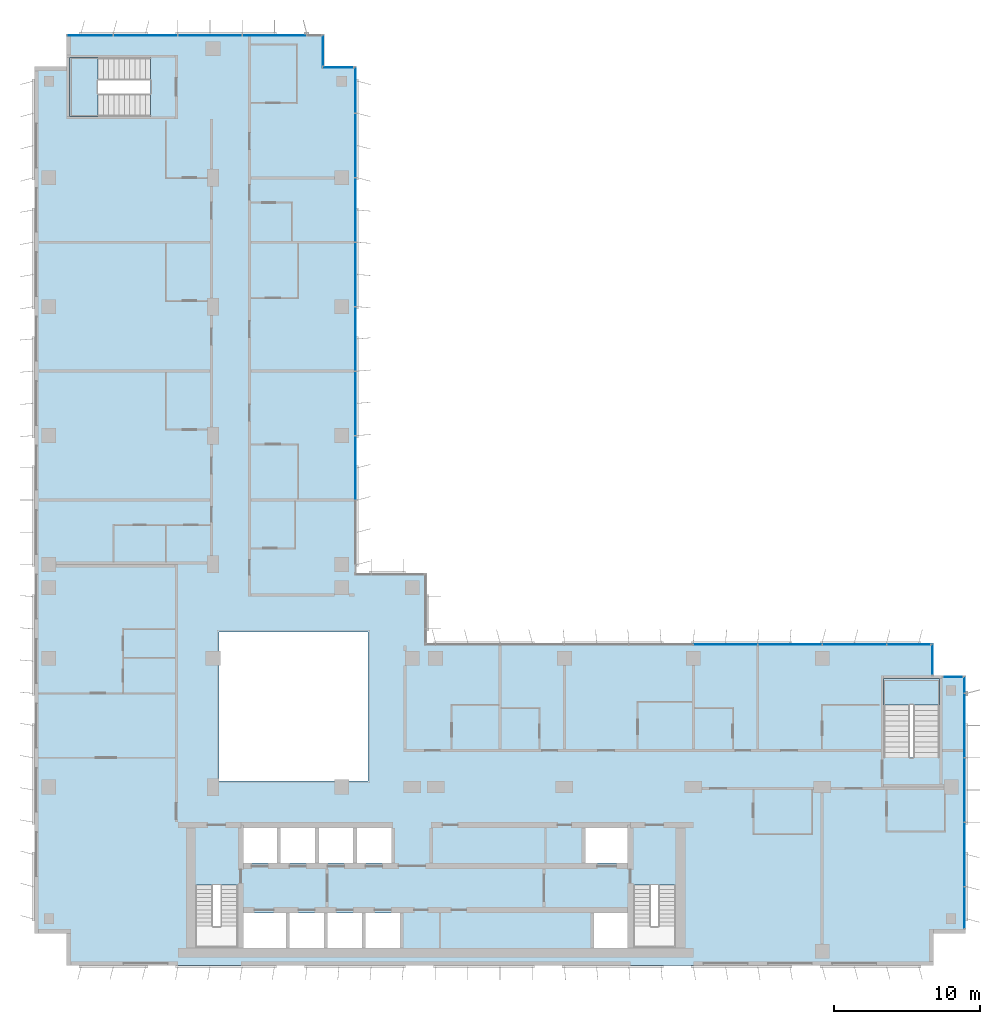
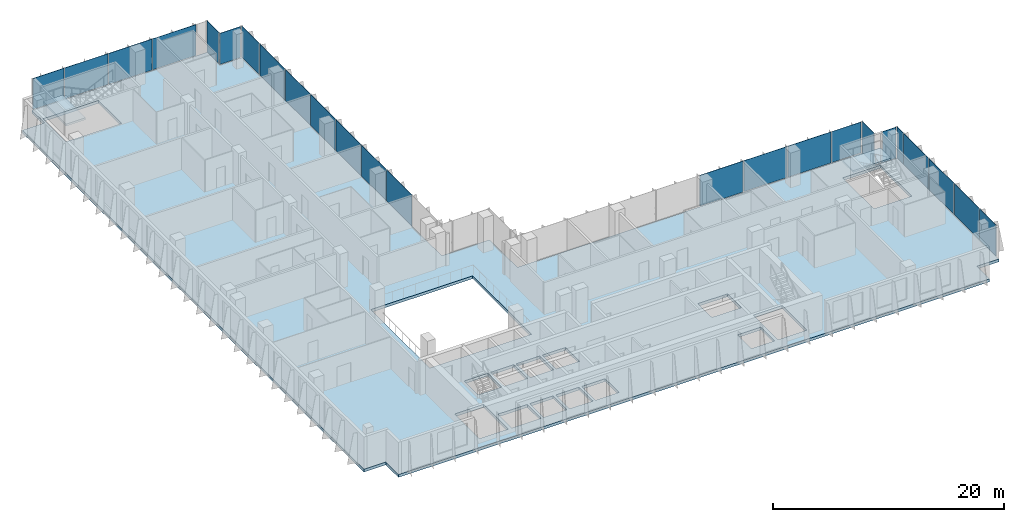
# One storey, part 11 of 20: 24 plates, 3 slabs, 10 elements without a shape of their own.
"""IFC4 building model written with IfcOpenShell, lengths in metres."""

from ifc_helpers import new_model, si_unit, direction, frame, origin, origin_2d, place, context, subcontext, project, spatial, polyline, rectangle, outline, extrude, source, transform, mapped, material, layer, layer_set, type_object, element, aggregate, save


model = new_model("IFC4")

# Units and contexts
model_context = context("Model", 3, precision=1e-05, world=origin(), true_north=direction((0.0, 1.0)))
body_context = subcontext(model_context, "Body", "Model", "MODEL_VIEW")
ifc_project = project(units=[si_unit("LENGTHUNIT", "METRE"), si_unit("AREAUNIT", "SQUARE_METRE"), si_unit("VOLUMEUNIT", "CUBIC_METRE"), si_unit("PLANEANGLEUNIT", "RADIAN"), si_unit("MASSUNIT", "GRAM", prefix="KILO")], contexts=[model_context])

# Site, building, storey
site_placement = place(None, origin())
site = spatial("IfcSite", under=ifc_project, at=site_placement, CompositionType="ELEMENT")
building_placement = place(site_placement, origin())
building = spatial("IfcBuilding", under=site, at=building_placement, Name="Kemantara Hotel Tower", CompositionType="ELEMENT")
storey_placement = place(building_placement, frame((0.0, 0.0, 186.39990234375)))
storey = spatial("IfcBuildingStorey", under=building, at=storey_placement, Name="L46", CompositionType="ELEMENT", Elevation=186.39990234375)

# Slab
ifc_material_1 = material(Name="Concrete fc 40 MPa", Category="concrete")
ifc_layer_1 = layer(ifc_material_1, 0.300048828125)
ifc_layer_set_1 = layer_set([ifc_layer_1], Name="Concrete fc 40 MPa")
slab_type_1 = type_object("IfcSlabType", Name="POST-TENSIONED FLAT PLATE 300", PredefinedType="FLOOR", material=ifc_layer_set_1)
slab_1_placement = place(storey_placement, frame((0.0, 0.0, -0.2998046875)))
element("IfcSlab", 1, at=slab_1_placement, inside=storey, type_object=slab_type_1, Name="FLOOR SLAB L46", PredefinedType="FLOOR", context=body_context, shape_type="SweptSolid", body=[
    extrude(outline(polyline([(22.0, 26.800048828125), (22.0, 61.39990234375), (19.800048828125, 61.39990234375), (19.800048828125, 63.60009765625), (2.199951171875, 63.60009765625), (2.199951171875, 61.39990234375), (0.0, 61.39990234375), (0.0, 2.199951171875), (2.199951171875, 2.199951171875), (2.199951171875, 0.0), (61.39990234375, 0.0), (61.39990234375, 2.199951171875), (63.60009765625, 2.199951171875), (63.60009765625, 19.800048828125), (61.39990234375, 19.800048828125), (61.39990234375, 22.0), (26.800048828125, 22.0), (26.800048828125, 26.800048828125), (22.0, 26.800048828125)]), holes=[polyline([(17.175048828125, 3.60009765625), (17.175048828125, 1.199951171875), (14.22509765625, 1.199951171875), (14.22509765625, 3.60009765625), (17.175048828125, 3.60009765625)]), polyline([(19.77490234375, 1.199951171875), (17.425048828125, 1.199951171875), (17.425048828125, 3.60009765625), (19.77490234375, 3.60009765625), (19.77490234375, 1.199951171875)]), polyline([(11.0, 1.199951171875), (11.0, 5.49951171875), (13.89990234375, 5.49951171875), (13.89990234375, 1.199951171875), (11.0, 1.199951171875)]), polyline([(16.574951171875, 7.0), (14.22509765625, 7.0), (14.22509765625, 9.39990234375), (16.574951171875, 9.39990234375), (16.574951171875, 7.0)]), polyline([(19.175048828125, 7.0), (16.824951171875, 7.0), (16.824951171875, 9.39990234375), (19.175048828125, 9.39990234375), (19.175048828125, 7.0)]), polyline([(21.77490234375, 7.0), (19.425048828125, 7.0), (19.425048828125, 9.39990234375), (21.77490234375, 9.39990234375), (21.77490234375, 7.0)]), polyline([(22.800048828125, 12.60009765625), (12.60009765625, 12.60009765625), (12.60009765625, 22.800048828125), (22.800048828125, 22.800048828125), (22.800048828125, 12.60009765625)]), polyline([(2.39990234375, 62.0), (7.949462890625, 62.0), (7.949462890625, 58.0), (2.39990234375, 58.0), (2.39990234375, 62.0)]), polyline([(22.375, 1.199951171875), (20.02490234375, 1.199951171875), (20.02490234375, 3.60009765625), (22.375, 3.60009765625), (22.375, 1.199951171875)]), polyline([(24.97509765625, 1.199951171875), (22.625, 1.199951171875), (22.625, 3.60009765625), (24.97509765625, 3.60009765625), (24.97509765625, 1.199951171875)]), polyline([(40.574951171875, 1.199951171875), (38.22509765625, 1.199951171875), (38.22509765625, 3.60009765625), (40.574951171875, 3.60009765625), (40.574951171875, 1.199951171875)]), polyline([(40.89990234375, 1.199951171875), (40.89990234375, 5.49951171875), (43.800048828125, 5.49951171875), (43.800048828125, 1.199951171875), (40.89990234375, 1.199951171875)]), polyline([(24.375, 7.0), (22.02490234375, 7.0), (22.02490234375, 9.39990234375), (24.375, 9.39990234375), (24.375, 7.0)]), polyline([(40.574951171875, 7.0), (37.625, 7.0), (37.625, 9.39990234375), (40.574951171875, 9.39990234375), (40.574951171875, 7.0)]), polyline([(61.800048828125, 19.60009765625), (61.800048828125, 14.20068359375), (58.0, 14.20068359375), (58.0, 19.60009765625), (61.800048828125, 19.60009765625)])]), origin(), (0.0, 0.0, 1.0), 0.2998046875),
])

# Stair, slab
stair_type_1 = type_object("IfcStairType", Name="Stair 1800 wide 22 risers of 168 x 360 mm", PredefinedType="HALF_TURN_STAIR", material=ifc_material_1)
stair_1_placement = place(storey_placement, origin())
stair_1 = element("IfcStair", 2, at=stair_1_placement, inside=storey, type_object=stair_type_1, Name="L46 Exit stair ST3", PredefinedType="HALF_TURN_STAIR")
ifc_layer_2 = layer(ifc_material_1, 0.199951171875)
ifc_layer_set_2 = layer_set([ifc_layer_2], Name="Concrete fc 40 MPa")
slab_type_2 = type_object("IfcSlabType", Name="Stair landing 200 mm", PredefinedType="LANDING", material=ifc_layer_set_2)
slab_2_placement = place(storey_placement, frame((0.0, 0.0, 1.650146484375)))
slab_2 = element("IfcSlab", 3, at=slab_2_placement, type_object=slab_type_2, Name="ST3 landing 1", PredefinedType="LANDING", context=body_context, shape_type="SweptSolid", body=[
    extrude(outline(polyline([(61.800048828125, 17.800048828125), (61.800048828125, 19.60009765625), (58.0, 19.60009765625), (58.0, 17.800048828125), (61.800048828125, 17.800048828125)])), origin(), (0.0, 0.0, 1.0), 0.199951171875),
])
aggregate(stair_1, [slab_2])

stair_type_2 = type_object("IfcStairType", Name="Stair 1550 wide 22 risers of 168 x 360 mm", PredefinedType="HALF_TURN_STAIR", material=ifc_material_1)
stair_2_placement = place(storey_placement, origin())
stair_2 = element("IfcStair", 4, at=stair_2_placement, inside=storey, type_object=stair_type_2, Name="L46 Exit stair ST4", PredefinedType="HALF_TURN_STAIR")
slab_3_placement = place(storey_placement, frame((0.0, 0.0, 1.650146484375)))
slab_3 = element("IfcSlab", 5, at=slab_3_placement, type_object=slab_type_2, Name="ST4 landing 1", PredefinedType="LANDING", context=body_context, shape_type="SweptSolid", body=[
    extrude(outline(polyline([(4.35009765625, 62.0), (2.39990234375, 62.0), (2.39990234375, 58.0), (4.35009765625, 58.0), (4.35009765625, 62.0)])), origin(), (0.0, 0.0, 1.0), 0.199951171875),
])
aggregate(stair_2, [slab_3])

# Curtain wall, plate
ifc_material_2 = material(Name="Low-E tinted double insulated glass 36 mm", Category="glass")
curtain_wall_type = type_object("IfcCurtainWallType", Name="TOWER CURTAIN WALL, FRONT FACES", PredefinedType="USERDEFINED", material=ifc_material_2)
curtain_wall_1_placement = place(storey_placement, origin())
curtain_wall_1 = element("IfcCurtainWall", 6, at=curtain_wall_1_placement, inside=storey, type_object=curtain_wall_type, Name="CW4 L46 T3-R11-1", ObjectType="TOWER CURTAIN WALL, FRONT FACES", PredefinedType="USERDEFINED")
ifc_layer_3 = layer(ifc_material_2, 0.035888671875)
ifc_layer_set_3 = layer_set([ifc_layer_3], Name="Low-E tinted double insulated glass 36 mm")
plate_type = type_object("IfcPlateType", Name="TOWER CURTAIN WALL, FRONT FACES PANEL", PredefinedType="CURTAIN_PANEL", material=ifc_layer_set_3)
shared_shape_1 = source(origin(), body_context, "Body", "SweptSolid", [
    extrude(rectangle(XDim=2.81005859375, YDim=0.035888671875, at=origin_2d()), origin(), (0.0, 0.0, 1.0), 3.280029296875),
])
plate_1_placement = place(storey_placement, frame((63.52490234375, 3.965087890625, 0.1201171875), z_axis=(0.0, 0.0, 1.0), x_axis=(0.0, 1.0, 0.0)))
plate_1 = element("IfcPlate", 7, at=plate_1_placement, type_object=plate_type, Name="CW4 glass panel T3-R11-1.1", PredefinedType="CURTAIN_PANEL", context=body_context, shape_type="MappedRepresentation", body=[
    mapped(shared_shape_1, transform((0.0, 0.0, 0.0))),
])

# Curtain wall, plates
curtain_wall_2_placement = place(storey_placement, origin())
curtain_wall_2 = element("IfcCurtainWall", 8, at=curtain_wall_2_placement, inside=storey, type_object=curtain_wall_type, Name="CW4 L46 T3-R02-1", ObjectType="TOWER CURTAIN WALL, FRONT FACES", PredefinedType="USERDEFINED")
shared_shape_2 = source(origin(), body_context, "Body", "SweptSolid", [
    extrude(rectangle(XDim=4.340087890625, YDim=0.035888671875, at=origin_2d()), origin(), (0.0, 0.0, 1.0), 3.280029296875),
])
plate_2_placement = place(storey_placement, frame((16.39990234375, 63.52490234375, 0.1201171875), z_axis=(0.0, 0.0, 1.0), x_axis=(-1.0, 0.0, 0.0)))
plate_2 = element("IfcPlate", 9, at=plate_2_placement, type_object=plate_type, Name="CW4 glass panel T3-R02-1.2", PredefinedType="CURTAIN_PANEL", context=body_context, shape_type="MappedRepresentation", body=[
    mapped(shared_shape_2, transform((0.0, 0.0, 0.0))),
])
plate_3_placement = place(storey_placement, frame((12.0, 63.52490234375, 0.1201171875), z_axis=(0.0, 0.0, 1.0), x_axis=(-1.0, 0.0, 0.0)))
plate_3 = element("IfcPlate", 10, at=plate_3_placement, type_object=plate_type, Name="CW4 glass panel T3-R02-1.3", PredefinedType="CURTAIN_PANEL", context=body_context, shape_type="MappedRepresentation", body=[
    mapped(shared_shape_2, transform((0.0, 0.0, 0.0))),
])
plate_4_placement = place(storey_placement, frame((7.60009765625, 63.52490234375, 0.1201171875), z_axis=(0.0, 0.0, 1.0), x_axis=(-1.0, 0.0, 0.0)))
plate_4 = element("IfcPlate", 11, at=plate_4_placement, type_object=plate_type, Name="CW4 glass panel T3-R02-1.4", PredefinedType="CURTAIN_PANEL", context=body_context, shape_type="MappedRepresentation", body=[
    mapped(shared_shape_2, transform((0.0, 0.0, 0.0))),
])

# Plate
plate_5_placement = place(storey_placement, frame((63.52490234375, 7.60009765625, 0.1201171875), z_axis=(0.0, 0.0, 1.0), x_axis=(0.0, 1.0, 0.0)))
plate_5 = element("IfcPlate", 12, at=plate_5_placement, type_object=plate_type, Name="CW4 glass panel T3-R11-1.2", PredefinedType="CURTAIN_PANEL", context=body_context, shape_type="MappedRepresentation", body=[
    mapped(shared_shape_2, transform((0.0, 0.0, 0.0))),
])

plate_6_placement = place(storey_placement, frame((63.52490234375, 12.0, 0.1201171875), z_axis=(0.0, 0.0, 1.0), x_axis=(0.0, 1.0, 0.0)))
plate_6 = element("IfcPlate", 13, at=plate_6_placement, type_object=plate_type, Name="CW4 glass panel T3-R11-1.3", PredefinedType="CURTAIN_PANEL", context=body_context, shape_type="MappedRepresentation", body=[
    mapped(shared_shape_2, transform((0.0, 0.0, 0.0))),
])

plate_7_placement = place(storey_placement, frame((63.52490234375, 16.39990234375, 0.1201171875), z_axis=(0.0, 0.0, 1.0), x_axis=(0.0, 1.0, 0.0)))
plate_7 = element("IfcPlate", 14, at=plate_7_placement, type_object=plate_type, Name="CW4 glass panel T3-R11-1.4", PredefinedType="CURTAIN_PANEL", context=body_context, shape_type="MappedRepresentation", body=[
    mapped(shared_shape_2, transform((0.0, 0.0, 0.0))),
])

# Curtain wall, plates
curtain_wall_3_placement = place(storey_placement, origin())
curtain_wall_3 = element("IfcCurtainWall", 15, at=curtain_wall_3_placement, inside=storey, type_object=curtain_wall_type, Name="CW4 L46 T3-R14-1", ObjectType="TOWER CURTAIN WALL, FRONT FACES", PredefinedType="USERDEFINED")
plate_8_placement = place(storey_placement, frame((56.0, 21.925048828125, 0.1201171875), z_axis=(0.0, 0.0, 1.0), x_axis=(-1.0, 0.0, 0.0)))
plate_8 = element("IfcPlate", 16, at=plate_8_placement, type_object=plate_type, Name="CW4 glass panel T3-R14-1.2", PredefinedType="CURTAIN_PANEL", context=body_context, shape_type="MappedRepresentation", body=[
    mapped(shared_shape_2, transform((0.0, 0.0, 0.0))),
])
plate_9_placement = place(storey_placement, frame((51.60009765625, 21.925048828125, 0.1201171875), z_axis=(0.0, 0.0, 1.0), x_axis=(-1.0, 0.0, 0.0)))
plate_9 = element("IfcPlate", 17, at=plate_9_placement, type_object=plate_type, Name="CW4 glass panel T3-R14-1.3", PredefinedType="CURTAIN_PANEL", context=body_context, shape_type="MappedRepresentation", body=[
    mapped(shared_shape_2, transform((0.0, 0.0, 0.0))),
])
plate_10_placement = place(storey_placement, frame((47.199951171875, 21.925048828125, 0.1201171875), z_axis=(0.0, 0.0, 1.0), x_axis=(-1.0, 0.0, 0.0)))
plate_10 = element("IfcPlate", 18, at=plate_10_placement, type_object=plate_type, Name="CW4 glass panel T3-R14-1.4", PredefinedType="CURTAIN_PANEL", context=body_context, shape_type="MappedRepresentation", body=[
    mapped(shared_shape_2, transform((0.0, 0.0, 0.0))),
])

curtain_wall_4_placement = place(storey_placement, origin())
curtain_wall_4 = element("IfcCurtainWall", 19, at=curtain_wall_4_placement, inside=storey, type_object=curtain_wall_type, Name="CW4 L46 T3-R17-1", ObjectType="TOWER CURTAIN WALL, FRONT FACES", PredefinedType="USERDEFINED")
plate_11_placement = place(storey_placement, frame((21.925048828125, 34.0, 0.1201171875), z_axis=(0.0, 0.0, 1.0), x_axis=(0.0, 1.0, 0.0)))
plate_11 = element("IfcPlate", 20, at=plate_11_placement, type_object=plate_type, Name="CW4 glass panel T3-R17-1.3", PredefinedType="CURTAIN_PANEL", context=body_context, shape_type="MappedRepresentation", body=[
    mapped(shared_shape_2, transform((0.0, 0.0, 0.0))),
])
plate_12_placement = place(storey_placement, frame((21.925048828125, 38.39990234375, 0.1201171875), z_axis=(0.0, 0.0, 1.0), x_axis=(0.0, 1.0, 0.0)))
plate_12 = element("IfcPlate", 21, at=plate_12_placement, type_object=plate_type, Name="CW4 glass panel T3-R17-1.4", PredefinedType="CURTAIN_PANEL", context=body_context, shape_type="MappedRepresentation", body=[
    mapped(shared_shape_2, transform((0.0, 0.0, 0.0))),
])
plate_13_placement = place(storey_placement, frame((21.925048828125, 42.800048828125, 0.1201171875), z_axis=(0.0, 0.0, 1.0), x_axis=(0.0, 1.0, 0.0)))
plate_13 = element("IfcPlate", 22, at=plate_13_placement, type_object=plate_type, Name="CW4 glass panel T3-R17-1.5", PredefinedType="CURTAIN_PANEL", context=body_context, shape_type="MappedRepresentation", body=[
    mapped(shared_shape_2, transform((0.0, 0.0, 0.0))),
])
plate_14_placement = place(storey_placement, frame((21.925048828125, 47.199951171875, 0.1201171875), z_axis=(0.0, 0.0, 1.0), x_axis=(0.0, 1.0, 0.0)))
plate_14 = element("IfcPlate", 23, at=plate_14_placement, type_object=plate_type, Name="CW4 glass panel T3-R17-1.6", PredefinedType="CURTAIN_PANEL", context=body_context, shape_type="MappedRepresentation", body=[
    mapped(shared_shape_2, transform((0.0, 0.0, 0.0))),
])
plate_15_placement = place(storey_placement, frame((21.925048828125, 51.60009765625, 0.1201171875), z_axis=(0.0, 0.0, 1.0), x_axis=(0.0, 1.0, 0.0)))
plate_15 = element("IfcPlate", 24, at=plate_15_placement, type_object=plate_type, Name="CW4 glass panel T3-R17-1.7", PredefinedType="CURTAIN_PANEL", context=body_context, shape_type="MappedRepresentation", body=[
    mapped(shared_shape_2, transform((0.0, 0.0, 0.0))),
])
plate_16_placement = place(storey_placement, frame((21.925048828125, 56.0, 0.1201171875), z_axis=(0.0, 0.0, 1.0), x_axis=(0.0, 1.0, 0.0)))
plate_16 = element("IfcPlate", 25, at=plate_16_placement, type_object=plate_type, Name="CW4 glass panel T3-R17-1.8", PredefinedType="CURTAIN_PANEL", context=body_context, shape_type="MappedRepresentation", body=[
    mapped(shared_shape_2, transform((0.0, 0.0, 0.0))),
])

# Plate
shared_shape_3 = source(origin(), body_context, "Body", "SweptSolid", [
    extrude(rectangle(XDim=3.110107421875, YDim=0.035888671875, at=origin_2d()), origin(), (0.0, 0.0, 1.0), 3.280029296875),
])
plate_17_placement = place(storey_placement, frame((3.81494140625, 63.52490234375, 0.1201171875), z_axis=(0.0, 0.0, 1.0), x_axis=(-1.0, 0.0, 0.0)))
plate_17 = element("IfcPlate", 26, at=plate_17_placement, type_object=plate_type, Name="CW4 glass panel T3-R02-1.5", PredefinedType="CURTAIN_PANEL", context=body_context, shape_type="MappedRepresentation", body=[
    mapped(shared_shape_3, transform((0.0, 0.0, 0.0))),
])

aggregate(curtain_wall_2, [plate_2, plate_3, plate_4, plate_17])

plate_18_placement = place(storey_placement, frame((21.925048828125, 59.784912109375, 0.1201171875), z_axis=(0.0, 0.0, 1.0), x_axis=(0.0, 1.0, 0.0)))
plate_18 = element("IfcPlate", 27, at=plate_18_placement, type_object=plate_type, Name="CW4 glass panel T3-R17-1.9", PredefinedType="CURTAIN_PANEL", context=body_context, shape_type="MappedRepresentation", body=[
    mapped(shared_shape_3, transform((0.0, 0.0, 0.0))),
])

aggregate(curtain_wall_4, [plate_11, plate_12, plate_13, plate_14, plate_15, plate_16, plate_18])

# Curtain wall, plate
curtain_wall_5_placement = place(storey_placement, origin())
curtain_wall_5 = element("IfcCurtainWall", 28, at=curtain_wall_5_placement, inside=storey, type_object=curtain_wall_type, Name="CW4 L46 T3-R00-1", ObjectType="TOWER CURTAIN WALL, FRONT FACES", PredefinedType="USERDEFINED")
shared_shape_4 = source(origin(), body_context, "Body", "SweptSolid", [
    extrude(rectangle(XDim=2.080078125, YDim=0.035888671875, at=origin_2d()), origin(), (0.0, 0.0, 1.0), 3.280029296875),
])
plate_19_placement = place(storey_placement, frame((20.75, 61.324951171875, 0.1201171875), z_axis=(0.0, 0.0, 1.0), x_axis=(-1.0, 0.0, 0.0)))
plate_19 = element("IfcPlate", 29, at=plate_19_placement, type_object=plate_type, Name="CW4 glass panel T3-R00-1.1", PredefinedType="CURTAIN_PANEL", context=body_context, shape_type="MappedRepresentation", body=[
    mapped(shared_shape_4, transform((0.0, 0.0, 0.0))),
])
aggregate(curtain_wall_5, [plate_19])

curtain_wall_6_placement = place(storey_placement, origin())
curtain_wall_6 = element("IfcCurtainWall", 30, at=curtain_wall_6_placement, inside=storey, type_object=curtain_wall_type, Name="CW4 L46 T3-R01-1", ObjectType="TOWER CURTAIN WALL, FRONT FACES", PredefinedType="USERDEFINED")
plate_20_placement = place(storey_placement, frame((19.72509765625, 62.5, 0.1201171875), z_axis=(0.0, 0.0, 1.0), x_axis=(0.0, 1.0, 0.0)))
plate_20 = element("IfcPlate", 31, at=plate_20_placement, type_object=plate_type, Name="CW4 glass panel T3-R01-1.1", PredefinedType="CURTAIN_PANEL", context=body_context, shape_type="MappedRepresentation", body=[
    mapped(shared_shape_4, transform((0.0, 0.0, 0.0))),
])
aggregate(curtain_wall_6, [plate_20])

curtain_wall_7_placement = place(storey_placement, origin())
curtain_wall_7 = element("IfcCurtainWall", 32, at=curtain_wall_7_placement, inside=storey, type_object=curtain_wall_type, Name="CW4 L46 T3-R13-1", ObjectType="TOWER CURTAIN WALL, FRONT FACES", PredefinedType="USERDEFINED")
plate_21_placement = place(storey_placement, frame((61.324951171875, 20.89990234375, 0.1201171875), z_axis=(0.0, 0.0, 1.0), x_axis=(0.0, 1.0, 0.0)))
plate_21 = element("IfcPlate", 33, at=plate_21_placement, type_object=plate_type, Name="CW4 glass panel T3-R13-1.1", PredefinedType="CURTAIN_PANEL", context=body_context, shape_type="MappedRepresentation", body=[
    mapped(shared_shape_4, transform((0.0, 0.0, 0.0))),
])
aggregate(curtain_wall_7, [plate_21])

# Plate
shared_shape_5 = source(origin(), body_context, "Body", "SweptSolid", [
    extrude(rectangle(XDim=2.9599609375, YDim=0.035888671875, at=origin_2d()), origin(), (0.0, 0.0, 1.0), 3.280029296875),
])
plate_22_placement = place(storey_placement, frame((59.7099609375, 21.925048828125, 0.1201171875), z_axis=(0.0, 0.0, 1.0), x_axis=(-1.0, 0.0, 0.0)))
plate_22 = element("IfcPlate", 34, at=plate_22_placement, type_object=plate_type, Name="CW4 glass panel T3-R14-1.1", PredefinedType="CURTAIN_PANEL", context=body_context, shape_type="MappedRepresentation", body=[
    mapped(shared_shape_5, transform((0.0, 0.0, 0.0))),
])

aggregate(curtain_wall_3, [plate_22, plate_8, plate_9, plate_10])

shared_shape_6 = source(origin(), body_context, "Body", "SweptSolid", [
    extrude(rectangle(XDim=1.110107421875, YDim=0.035888671875, at=origin_2d()), origin(), (0.0, 0.0, 1.0), 3.280029296875),
])
plate_23_placement = place(storey_placement, frame((63.52490234375, 19.18505859375, 0.1201171875), z_axis=(0.0, 0.0, 1.0), x_axis=(0.0, 1.0, 0.0)))
plate_23 = element("IfcPlate", 35, at=plate_23_placement, type_object=plate_type, Name="CW4 glass panel T3-R11-1.5", PredefinedType="CURTAIN_PANEL", context=body_context, shape_type="MappedRepresentation", body=[
    mapped(shared_shape_6, transform((0.0, 0.0, 0.0))),
])

aggregate(curtain_wall_1, [plate_1, plate_5, plate_6, plate_7, plate_23])

# Curtain wall, plate
curtain_wall_8_placement = place(storey_placement, origin())
curtain_wall_8 = element("IfcCurtainWall", 36, at=curtain_wall_8_placement, inside=storey, type_object=curtain_wall_type, Name="CW4 L46 T3-R12-1", ObjectType="TOWER CURTAIN WALL, FRONT FACES", PredefinedType="USERDEFINED")
shared_shape_7 = source(origin(), body_context, "Body", "SweptSolid", [
    extrude(rectangle(XDim=1.330078125, YDim=0.035888671875, at=origin_2d()), origin(), (0.0, 0.0, 1.0), 3.280029296875),
])
plate_24_placement = place(storey_placement, frame((62.72509765625, 19.72509765625, 0.1201171875), z_axis=(0.0, 0.0, 1.0), x_axis=(-1.0, 0.0, 0.0)))
plate_24 = element("IfcPlate", 37, at=plate_24_placement, type_object=plate_type, Name="CW4 glass panel T3-R12-1.1", PredefinedType="CURTAIN_PANEL", context=body_context, shape_type="MappedRepresentation", body=[
    mapped(shared_shape_7, transform((0.0, 0.0, 0.0))),
])
aggregate(curtain_wall_8, [plate_24])

save(model, "model.ifc")
